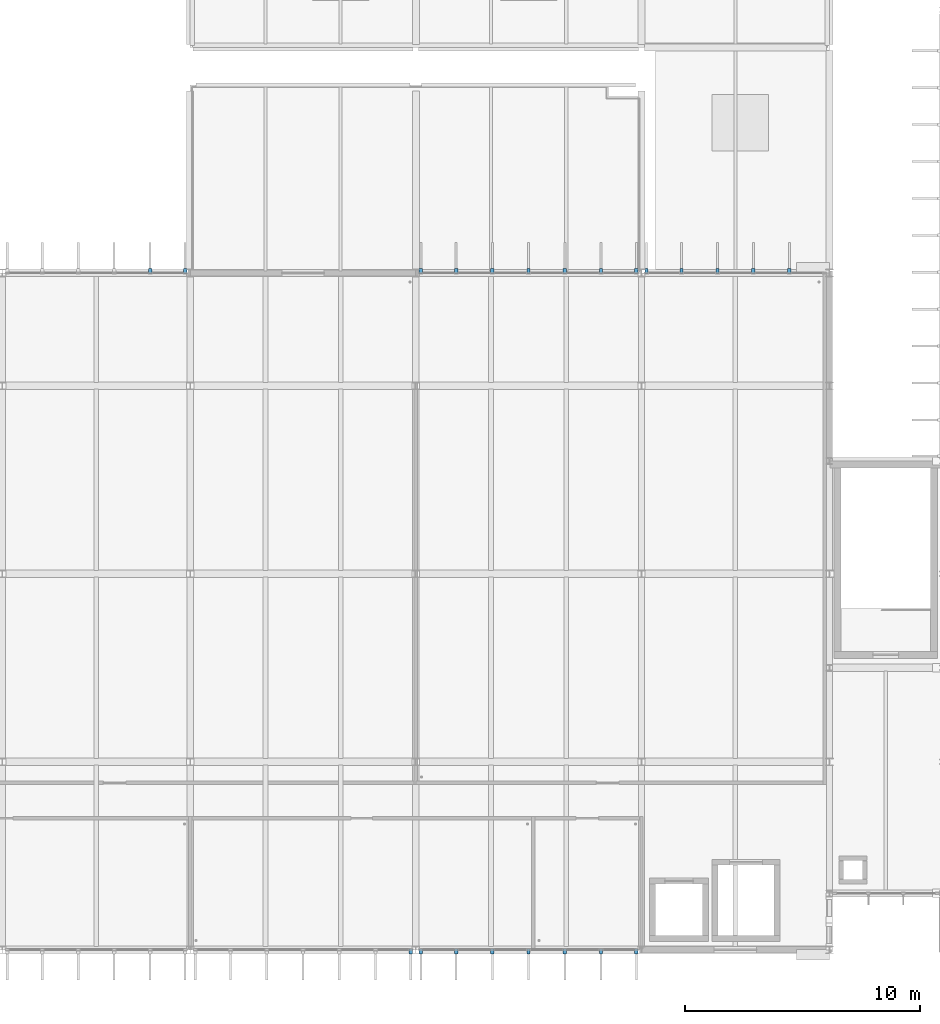
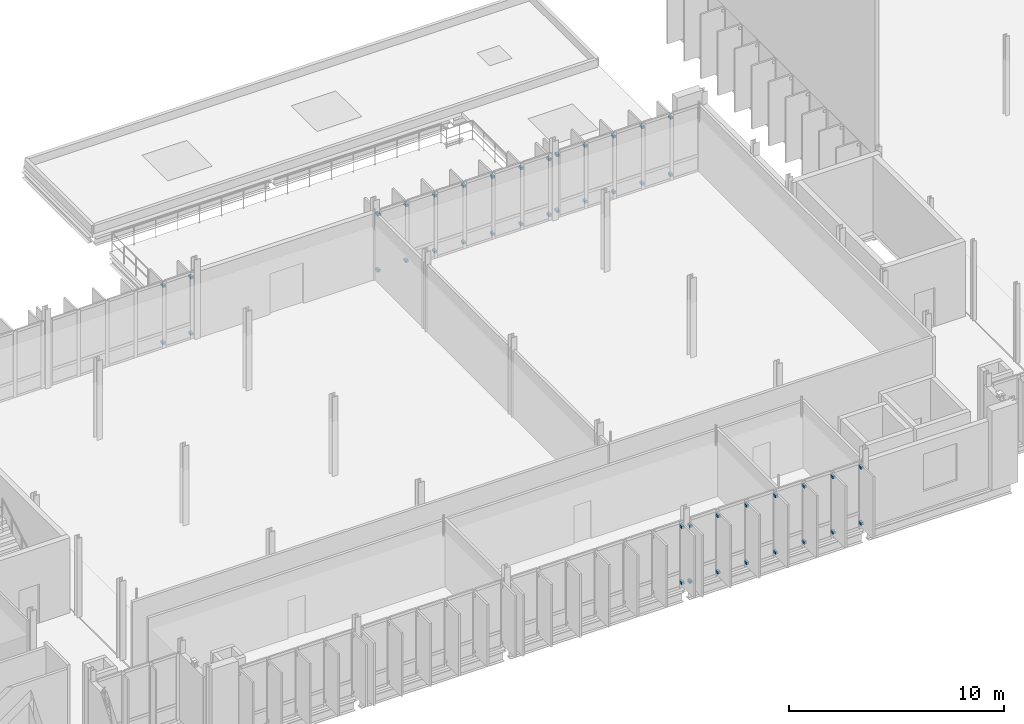
# One storey, part 97 of 110: 44 discrete accessories.
"""IFC4 building model written with IfcOpenShell, lengths in metres."""

from ifc_helpers import new_model, si_unit, direction, frame, origin, origin_2d, place, context, subcontext, project, spatial, rectangle, extrude, material, type_object, element, save


model = new_model("IFC4")

# Units and contexts
model_context = context("Model", 3, precision=1e-05, world=origin(), true_north=direction((0.0, 1.0)))
body_context = subcontext(model_context, "Body", "Model", "MODEL_VIEW")
ifc_project = project(units=[si_unit("LENGTHUNIT", "METRE"), si_unit("AREAUNIT", "SQUARE_METRE"), si_unit("VOLUMEUNIT", "CUBIC_METRE"), si_unit("PLANEANGLEUNIT", "RADIAN"), si_unit("MASSUNIT", "GRAM", prefix="KILO")], contexts=[model_context])

# Site, building, storey
site_placement = place(None, origin())
site = spatial("IfcSite", under=ifc_project, at=site_placement, CompositionType="ELEMENT")
building_placement = place(site_placement, origin())
building = spatial("IfcBuilding", under=site, at=building_placement, Name="Dunescarp Central Library", CompositionType="ELEMENT")
storey_placement = place(building_placement, frame((0.0, 0.0, 9.60009765625)))
storey = spatial("IfcBuildingStorey", under=building, at=storey_placement, Name="L02", CompositionType="ELEMENT", Elevation=9.60009765625)

# Discrete accessories
ifc_material = material(Name="Stainless steel Grade 316L", Category="steel")
discrete_accessory_type = type_object("IfcDiscreteAccessoryType", Name="ARC-ACC-BRK", PredefinedType="BRACKET", material=ifc_material)
for number, where, z_axis, x_axis, name in (
    (1, (106.985107421875, 4.719970703125, 0.27685546875), (0.0, 0.0, 1.0), (0.0, -1.0, 0.0), "Fin bracket BRK-FIN-L02-0627-B"),
    (2, (106.985107421875, 4.719970703125, 3.44482421875), (0.0, 0.0, 1.0), (0.0, -1.0, 0.0), "Fin bracket BRK-FIN-L02-0627-T"),
    (3, (116.5849609375, 4.719970703125, 0.27685546875), (0.0, 0.0, 1.0), (0.0, -1.0, 0.0), "Fin bracket BRK-FIN-L02-0634-B"),
    (4, (116.5849609375, 4.719970703125, 3.44482421875), (0.0, 0.0, 1.0), (0.0, -1.0, 0.0), "Fin bracket BRK-FIN-L02-0634-T"),
    (5, (115.0830078125, 4.719970703125, 0.2900390625), (0.0, 0.0, 1.0), (0.0, -1.0, 0.0), "Fin bracket BRK-FIN-L02-0635-B"),
    (6, (115.0830078125, 4.719970703125, 3.44482421875), (0.0, 0.0, 1.0), (0.0, -1.0, 0.0), "Fin bracket BRK-FIN-L02-0635-T"),
    (7, (113.5419921875, 4.719970703125, 0.27392578125), (0.0, 0.0, 1.0), (0.0, -1.0, 0.0), "Fin bracket BRK-FIN-L02-0636-B"),
    (8, (113.5419921875, 4.719970703125, 3.44482421875), (0.0, 0.0, 1.0), (0.0, -1.0, 0.0), "Fin bracket BRK-FIN-L02-0636-T"),
    (9, (112.0, 4.719970703125, 0.23291015625), (0.0, 0.0, 1.0), (0.0, -1.0, 0.0), "Fin bracket BRK-FIN-L02-0637-B"),
    (10, (112.0, 4.719970703125, 3.44482421875), (0.0, 0.0, 1.0), (0.0, -1.0, 0.0), "Fin bracket BRK-FIN-L02-0637-T"),
    (11, (110.4580078125, 4.719970703125, 0.18994140625), (0.0, 0.0, 1.0), (0.0, -1.0, 0.0), "Fin bracket BRK-FIN-L02-0638-B"),
    (12, (110.4580078125, 4.719970703125, 3.43408203125), (0.0, 0.0, 1.0), (0.0, -1.0, 0.0), "Fin bracket BRK-FIN-L02-0638-T"),
    (13, (108.9169921875, 4.719970703125, 0.18994140625), (0.0, 0.0, 1.0), (0.0, -1.0, 0.0), "Fin bracket BRK-FIN-L02-0639-B"),
    (14, (108.9169921875, 4.719970703125, 3.3837890625), (0.0, 0.0, 1.0), (0.0, -1.0, 0.0), "Fin bracket BRK-FIN-L02-0639-T"),
    (15, (107.4150390625, 4.719970703125, 0.18994140625), (0.0, 0.0, 1.0), (0.0, -1.0, 0.0), "Fin bracket BRK-FIN-L02-0640-B"),
    (16, (107.4150390625, 4.719970703125, 3.35107421875), (0.0, 0.0, 1.0), (0.0, -1.0, 0.0), "Fin bracket BRK-FIN-L02-0640-T"),
    (17, (95.89501953125, 33.679931640625, 0.18994140625), (0.0, 0.0, 1.0), (0.0, 1.0, 0.0), "Fin bracket BRK-FIN-L02-0650-B"),
    (18, (95.89501953125, 33.679931640625, 3.43408203125), (0.0, 0.0, 1.0), (0.0, 1.0, 0.0), "Fin bracket BRK-FIN-L02-0650-T"),
    (19, (97.385009765625, 33.679931640625, 0.18994140625), (0.0, 0.0, 1.0), (0.0, 1.0, 0.0), "Fin bracket BRK-FIN-L02-0651-B"),
    (20, (97.385009765625, 33.679931640625, 3.3837890625), (0.0, 0.0, 1.0), (0.0, 1.0, 0.0), "Fin bracket BRK-FIN-L02-0651-T"),
    (21, (107.4150390625, 33.679931640625, 0.27685546875), (0.0, 0.0, 1.0), (0.0, 1.0, 0.0), "Fin bracket BRK-FIN-L02-0652-B"),
    (22, (107.4150390625, 33.679931640625, 3.44482421875), (0.0, 0.0, 1.0), (0.0, 1.0, 0.0), "Fin bracket BRK-FIN-L02-0652-T"),
    (23, (108.9169921875, 33.679931640625, 0.2900390625), (0.0, 0.0, 1.0), (0.0, 1.0, 0.0), "Fin bracket BRK-FIN-L02-0653-B"),
    (24, (108.9169921875, 33.679931640625, 3.44482421875), (0.0, 0.0, 1.0), (0.0, 1.0, 0.0), "Fin bracket BRK-FIN-L02-0653-T"),
    (25, (110.4580078125, 33.679931640625, 0.27392578125), (0.0, 0.0, 1.0), (0.0, 1.0, 0.0), "Fin bracket BRK-FIN-L02-0654-B"),
    (26, (110.4580078125, 33.679931640625, 3.44482421875), (0.0, 0.0, 1.0), (0.0, 1.0, 0.0), "Fin bracket BRK-FIN-L02-0654-T"),
    (27, (112.0, 33.679931640625, 0.23291015625), (0.0, 0.0, 1.0), (0.0, 1.0, 0.0), "Fin bracket BRK-FIN-L02-0655-B"),
    (28, (112.0, 33.679931640625, 3.44482421875), (0.0, 0.0, 1.0), (0.0, 1.0, 0.0), "Fin bracket BRK-FIN-L02-0655-T"),
    (29, (113.5419921875, 33.679931640625, 0.18994140625), (0.0, 0.0, 1.0), (0.0, 1.0, 0.0), "Fin bracket BRK-FIN-L02-0656-B"),
    (30, (113.5419921875, 33.679931640625, 3.43408203125), (0.0, 0.0, 1.0), (0.0, 1.0, 0.0), "Fin bracket BRK-FIN-L02-0656-T"),
    (31, (115.0830078125, 33.679931640625, 0.18994140625), (0.0, 0.0, 1.0), (0.0, 1.0, 0.0), "Fin bracket BRK-FIN-L02-0657-B"),
    (32, (115.0830078125, 33.679931640625, 3.3837890625), (0.0, 0.0, 1.0), (0.0, 1.0, 0.0), "Fin bracket BRK-FIN-L02-0657-T"),
    (33, (116.5849609375, 33.679931640625, 0.18994140625), (0.0, 0.0, 1.0), (0.0, 1.0, 0.0), "Fin bracket BRK-FIN-L02-0658-B"),
    (34, (116.5849609375, 33.679931640625, 3.35107421875), (0.0, 0.0, 1.0), (0.0, 1.0, 0.0), "Fin bracket BRK-FIN-L02-0658-T"),
    (35, (117.014892578125, 33.679931640625, 0.27685546875), (0.0, 0.0, 1.0), (0.0, 1.0, 0.0), "Fin bracket BRK-FIN-L02-0659-B"),
    (36, (117.014892578125, 33.679931640625, 3.44482421875), (0.0, 0.0, 1.0), (0.0, 1.0, 0.0), "Fin bracket BRK-FIN-L02-0659-T"),
    (37, (118.5048828125, 33.679931640625, 0.2900390625), (0.0, 0.0, 1.0), (0.0, 1.0, 0.0), "Fin bracket BRK-FIN-L02-0660-B"),
    (38, (118.5048828125, 33.679931640625, 3.44482421875), (0.0, 0.0, 1.0), (0.0, 1.0, 0.0), "Fin bracket BRK-FIN-L02-0660-T"),
    (39, (120.034912109375, 33.679931640625, 0.27392578125), (0.0, 0.0, 1.0), (0.0, 1.0, 0.0), "Fin bracket BRK-FIN-L02-0661-B"),
    (40, (120.034912109375, 33.679931640625, 3.44482421875), (0.0, 0.0, 1.0), (0.0, 1.0, 0.0), "Fin bracket BRK-FIN-L02-0661-T"),
    (41, (121.56494140625, 33.679931640625, 0.23291015625), (0.0, 0.0, 1.0), (0.0, 1.0, 0.0), "Fin bracket BRK-FIN-L02-0662-B"),
    (42, (121.56494140625, 33.679931640625, 3.44482421875), (0.0, 0.0, 1.0), (0.0, 1.0, 0.0), "Fin bracket BRK-FIN-L02-0662-T"),
    (43, (123.094970703125, 33.679931640625, 0.18994140625), (0.0, 0.0, 1.0), (0.0, 1.0, 0.0), "Fin bracket BRK-FIN-L02-0663-B"),
    (44, (123.094970703125, 33.679931640625, 3.43408203125), (0.0, 0.0, 1.0), (0.0, 1.0, 0.0), "Fin bracket BRK-FIN-L02-0663-T"),
):
    element("IfcDiscreteAccessory", number, at=place(storey_placement, frame(where, z_axis=z_axis, x_axis=x_axis)), inside=storey, type_object=discrete_accessory_type, Name=name, PredefinedType="BRACKET", context=body_context, shape_type="SweptSolid", body=[
        extrude(rectangle(XDim=0.219970703125, YDim=0.139892578125, at=origin_2d()), origin(), (0.0, 0.0, 1.0), 0.139892578125),
    ])

save(model, "model.ifc")
